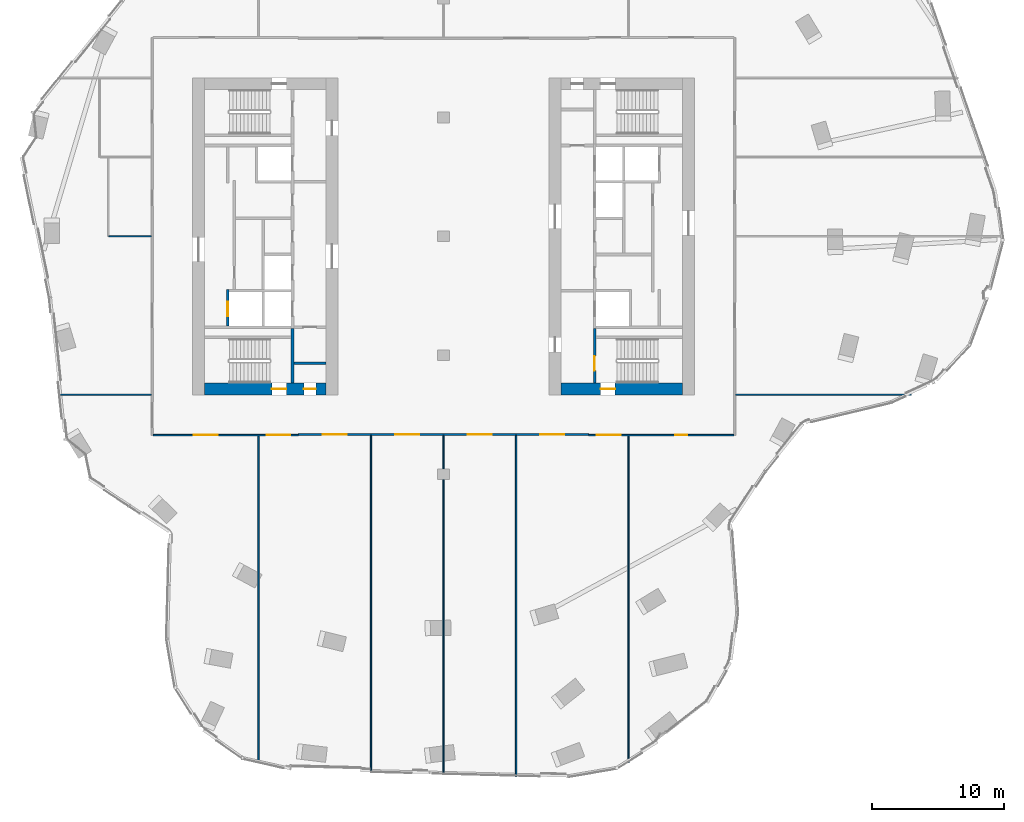
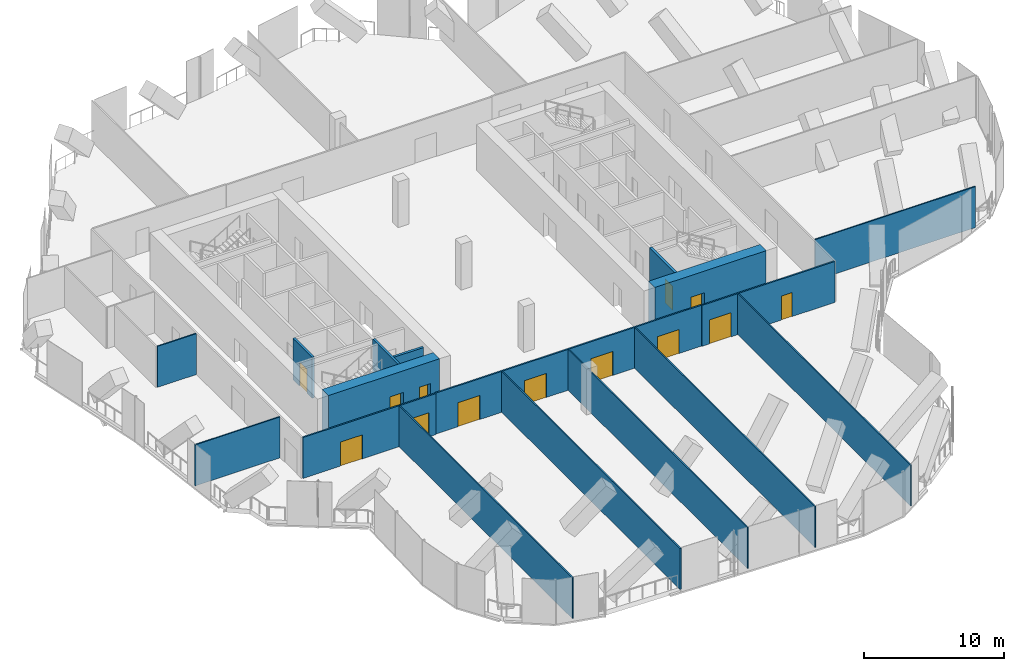
# One storey, part 19 of 26: 17 walls, 13 doors, 13 openings.
"""IFC4 building model written with IfcOpenShell, lengths in metres."""

from ifc_helpers import new_model, si_unit, direction, frame, frame_2d, origin, place, context, subcontext, project, spatial, rectangle, extrude, material, layer, layer_set, type_object, element, fill, save


model = new_model("IFC4")

# Units and contexts
model_context = context("Model", 3, precision=1e-05, world=origin(), true_north=direction((0.0, 1.0)))
body_context = subcontext(model_context, "Body", "Model", "MODEL_VIEW")
ifc_project = project(units=[si_unit("LENGTHUNIT", "METRE"), si_unit("AREAUNIT", "SQUARE_METRE"), si_unit("VOLUMEUNIT", "CUBIC_METRE"), si_unit("PLANEANGLEUNIT", "RADIAN"), si_unit("MASSUNIT", "GRAM", prefix="KILO")], contexts=[model_context])

# Site, building, storey
site_placement = place(None, origin())
site = spatial("IfcSite", under=ifc_project, at=site_placement, CompositionType="ELEMENT")
building_placement = place(site_placement, origin())
building = spatial("IfcBuilding", under=site, at=building_placement, Name="Orlundy Tower", CompositionType="ELEMENT")
storey_placement = place(building_placement, frame((0.0, 0.0, 228.0)))
storey = spatial("IfcBuildingStorey", under=building, at=storey_placement, Name="L60", CompositionType="ELEMENT", Elevation=228.0)

# Wall, openings, doors
ifc_material_1 = material(Name="Concrete C60/75", Category="concrete")
ifc_layer_1 = layer(ifc_material_1, 0.89990234375)
ifc_layer_set_1 = layer_set([ifc_layer_1], Name="CORE WALL 900 C60/75")
wall_type_1 = type_object("IfcWallType", Name="CORE WALL 900 C60/75", PredefinedType="SHEAR", material=ifc_layer_set_1)
wall_1_placement = place(storey_placement, frame((-18.10009765625, -11.550048828125, 0.0), z_axis=(0.0, 0.0, 1.0), x_axis=(1.0, 0.0, 0.0)))
wall_1 = element("IfcWall", 1, at=wall_1_placement, inside=storey, type_object=wall_type_1, Name="Core wall W-S L60", PredefinedType="SHEAR", context=body_context, shape_type="SweptSolid", body=[
    extrude(rectangle(XDim=9.2001953125, YDim=0.89990234375, at=frame_2d((4.60009765625, 0.0))), origin(), (0.0, 0.0, 1.0), 4.0),
])
opening_1_placement = place(wall_1_placement, frame((5.10009765625, 0.0, 0.0)))
opening_1 = element("IfcOpeningElement", 2, at=opening_1_placement, cuts=wall_1, Name="Opening 46012", PredefinedType="OPENING", context=body_context, shape_type="SweptSolid", body=[
    extrude(rectangle(XDim=1.10009765625, YDim=2.10009765625, at=frame_2d((0.550048828125, 1.050048828125))), frame((0.0, 0.4599609375, 0.0), z_axis=(0.0, -1.0, 0.0), x_axis=(1.0, 0.0, 0.0)), (0.0, 0.0, 1.0), 0.919921875),
])
opening_2_placement = place(wall_1_placement, frame((7.530029296875, 0.0, 0.0)))
opening_2 = element("IfcOpeningElement", 3, at=opening_2_placement, cuts=wall_1, Name="Opening 46014", PredefinedType="OPENING", context=body_context, shape_type="SweptSolid", body=[
    extrude(rectangle(XDim=0.89990234375, YDim=2.10009765625, at=frame_2d((0.449951171875, 1.050048828125))), frame((0.0, 0.4599609375, 0.0), z_axis=(0.0, -1.0, 0.0), x_axis=(1.0, 0.0, 0.0)), (0.0, 0.0, 1.0), 0.919921875),
])
ifc_material_2 = material(Name="Timber door set", Category="wood")
door_type_1 = type_object("IfcDoorType", Name="Room Door 900x2100", OperationType="SINGLE_SWING_LEFT", PredefinedType="DOOR", material=ifc_material_2)
door_1_placement = place(opening_2_placement, origin())
door_1 = element("IfcDoor", 4, at=door_1_placement, inside=storey, type_object=door_type_1, Name="Store door 46014", OperationType="SINGLE_SWING_RIGHT", OverallHeight=2.10009765625, OverallWidth=0.89990234375, PredefinedType="DOOR", context=body_context, shape_type="SweptSolid", body=[
    extrude(rectangle(XDim=0.89990234375, YDim=2.10009765625, at=frame_2d((0.449951171875, 1.050048828125))), frame((0.0, 0.02490234375, 0.0), z_axis=(0.0, -1.0, 0.0), x_axis=(1.0, 0.0, 0.0)), (0.0, 0.0, 1.0), 0.050048828125),
])
fill(opening_2, door_1)
ifc_material_3 = material(Name="Steel door set", Category="steel")
door_type_2 = type_object("IfcDoorType", Name="Stair Door 1100x2100", OperationType="SINGLE_SWING_LEFT", PredefinedType="DOOR", material=ifc_material_3)
door_2_placement = place(opening_1_placement, origin())
door_2 = element("IfcDoor", 5, at=door_2_placement, inside=storey, type_object=door_type_2, Name="Stair door 46012", OperationType="SINGLE_SWING_RIGHT", OverallHeight=2.10009765625, OverallWidth=1.10009765625, PredefinedType="DOOR", context=body_context, shape_type="SweptSolid", body=[
    extrude(rectangle(XDim=1.10009765625, YDim=2.10009765625, at=frame_2d((0.550048828125, 1.050048828125))), frame((0.0, 0.02490234375, 0.0), z_axis=(0.0, -1.0, 0.0), x_axis=(1.0, 0.0, 0.0)), (0.0, 0.0, 1.0), 0.050048828125),
])
fill(opening_1, door_2)

# Wall, opening, door
wall_2_placement = place(storey_placement, frame((8.89990234375, -11.550048828125, 0.0), z_axis=(0.0, 0.0, 1.0), x_axis=(1.0, 0.0, 0.0)))
wall_2 = element("IfcWall", 6, at=wall_2_placement, inside=storey, type_object=wall_type_1, Name="Core wall E-S L60", PredefinedType="SHEAR", context=body_context, shape_type="SweptSolid", body=[
    extrude(rectangle(XDim=9.2001953125, YDim=0.89990234375, at=frame_2d((4.60009765625, 0.0))), origin(), (0.0, 0.0, 1.0), 4.0),
])
opening_3_placement = place(wall_2_placement, frame((3.0, 0.0, 0.0)))
opening_3 = element("IfcOpeningElement", 7, at=opening_3_placement, cuts=wall_2, Name="Opening 46060", PredefinedType="OPENING", context=body_context, shape_type="SweptSolid", body=[
    extrude(rectangle(XDim=1.10009765625, YDim=2.10009765625, at=frame_2d((0.550048828125, 1.050048828125))), frame((0.0, 0.4599609375, 0.0), z_axis=(0.0, -1.0, 0.0), x_axis=(1.0, 0.0, 0.0)), (0.0, 0.0, 1.0), 0.919921875),
])
door_3_placement = place(opening_3_placement, origin())
door_3 = element("IfcDoor", 8, at=door_3_placement, inside=storey, type_object=door_type_2, Name="Stair door 46060", OperationType="SINGLE_SWING_LEFT", OverallHeight=2.10009765625, OverallWidth=1.10009765625, PredefinedType="DOOR", context=body_context, shape_type="SweptSolid", body=[
    extrude(rectangle(XDim=1.10009765625, YDim=2.10009765625, at=frame_2d((0.550048828125, 1.050048828125))), frame((0.0, 0.02490234375, 0.0), z_axis=(0.0, -1.0, 0.0), x_axis=(1.0, 0.0, 0.0)), (0.0, 0.0, 1.0), 0.050048828125),
])
fill(opening_3, door_3)

# Walls
ifc_material_4 = material(Name="Gypsum board partition")
ifc_layer_2 = layer(ifc_material_4, 0.10009765625)
ifc_layer_set_2 = layer_set([ifc_layer_2], Name="Floor partition 100")
wall_type_2 = type_object("IfcWallType", Name="Floor partition 100", PredefinedType="PARTITIONING", material=ifc_layer_set_2)
wall_3_placement = place(storey_placement, frame((-29.156005859375, -12.0, 0.0), z_axis=(0.0, 0.0, 1.0), x_axis=(1.0, 0.0, 0.0)))
element("IfcWall", 9, at=wall_3_placement, inside=storey, type_object=wall_type_2, Name="wall-int-L60-004", PredefinedType="PARTITIONING", context=body_context, shape_type="SweptSolid", body=[
    extrude(rectangle(XDim=7.04296875, YDim=0.10009765625, at=frame_2d((3.521484375, 0.0))), origin(), (0.0, 0.0, 1.0), 3.580078125),
])
wall_4_placement = place(storey_placement, frame((22.113037109375, -12.0, 0.0), z_axis=(0.0, 0.0, 1.0), x_axis=(1.0, 0.0, 0.0)))
element("IfcWall", 10, at=wall_4_placement, inside=storey, type_object=wall_type_2, Name="wall-int-L60-005", PredefinedType="PARTITIONING", context=body_context, shape_type="SweptSolid", body=[
    extrude(rectangle(XDim=13.285888671875, YDim=0.10009765625, at=frame_2d((6.64306640625, 0.0))), origin(), (0.0, 0.0, 1.0), 3.580078125),
])
wall_5_placement = place(storey_placement, frame((-25.3310546875, 0.0009765625, 0.0), z_axis=(0.0, 0.0, 1.0), x_axis=(1.0, 0.0, 0.0)))
element("IfcWall", 11, at=wall_5_placement, inside=storey, type_object=wall_type_2, Name="wall-int-L60-006", PredefinedType="PARTITIONING", context=body_context, shape_type="SweptSolid", body=[
    extrude(rectangle(XDim=3.218017578125, YDim=0.10009765625, at=frame_2d((1.60888671875, 0.0))), origin(), (0.0, 0.0, 1.0), 3.580078125),
])
wall_6_placement = place(storey_placement, frame((14.0, -39.85400390625, 0.0), z_axis=(0.0, 0.0, 1.0), x_axis=(0.0, 1.0, 0.0)))
element("IfcWall", 12, at=wall_6_placement, inside=storey, type_object=wall_type_2, Name="wall-int-L60-016", PredefinedType="PARTITIONING", context=body_context, shape_type="SweptSolid", body=[
    extrude(rectangle(XDim=24.739990234375, YDim=0.10009765625, at=frame_2d((12.3701171875, 0.0))), origin(), (0.0, 0.0, 1.0), 3.580078125),
])
wall_7_placement = place(storey_placement, frame((5.49609375, -40.907958984375, 0.0), z_axis=(0.0, 0.0, 1.0), x_axis=(0.0, 1.0, 0.0)))
element("IfcWall", 13, at=wall_7_placement, inside=storey, type_object=wall_type_2, Name="wall-int-L60-018", PredefinedType="PARTITIONING", context=body_context, shape_type="SweptSolid", body=[
    extrude(rectangle(XDim=25.844970703125, YDim=0.10009765625, at=frame_2d((12.92236328125, 0.0))), origin(), (0.0, 0.0, 1.0), 3.580078125),
])
wall_8_placement = place(storey_placement, frame((0.0, -40.763916015625, 0.0), z_axis=(0.0, 0.0, 1.0), x_axis=(0.0, 1.0, 0.0)))
element("IfcWall", 14, at=wall_8_placement, inside=storey, type_object=wall_type_2, Name="wall-int-L60-019", PredefinedType="PARTITIONING", context=body_context, shape_type="SweptSolid", body=[
    extrude(rectangle(XDim=25.700927734375, YDim=0.10009765625, at=frame_2d((12.8505859375, 0.0))), origin(), (0.0, 0.0, 1.0), 3.580078125),
])
wall_9_placement = place(storey_placement, frame((-5.493896484375, -40.6201171875, 0.0), z_axis=(0.0, 0.0, 1.0), x_axis=(0.0, 1.0, 0.0)))
element("IfcWall", 15, at=wall_9_placement, inside=storey, type_object=wall_type_2, Name="wall-int-L60-021", PredefinedType="PARTITIONING", context=body_context, shape_type="SweptSolid", body=[
    extrude(rectangle(XDim=25.55712890625, YDim=0.10009765625, at=frame_2d((12.778564453125, 0.0))), origin(), (0.0, 0.0, 1.0), 3.580078125),
])
wall_10_placement = place(storey_placement, frame((-14.0, -39.9150390625, 0.0), z_axis=(0.0, 0.0, 1.0), x_axis=(0.0, 1.0, 0.0)))
element("IfcWall", 16, at=wall_10_placement, inside=storey, type_object=wall_type_2, Name="wall-int-L60-022", PredefinedType="PARTITIONING", context=body_context, shape_type="SweptSolid", body=[
    extrude(rectangle(XDim=24.801025390625, YDim=0.10009765625, at=frame_2d((12.400390625, 0.0))), origin(), (0.0, 0.0, 1.0), 3.580078125),
])

# Wall, openings, doors
ifc_material_5 = material(Name="Gypsum board partition, double layer")
ifc_layer_3 = layer(ifc_material_5, 0.125)
ifc_layer_set_3 = layer_set([ifc_layer_3], Name="Floor partition 125")
wall_type_3 = type_object("IfcWallType", Name="Floor partition 125", PredefinedType="PARTITIONING", material=ifc_layer_set_3)
wall_11_placement = place(storey_placement, frame((-10.990966796875, -15.051025390625, 0.0), z_axis=(0.0, 0.0, 1.0), x_axis=(-1.0, 0.0, 0.0)))
wall_11 = element("IfcWall", 17, at=wall_11_placement, inside=storey, type_object=wall_type_3, Name="wall-int-L60-001", PredefinedType="PARTITIONING", context=body_context, shape_type="SweptSolid", body=[
    extrude(rectangle(XDim=10.9970703125, YDim=0.125, at=frame_2d((5.49853515625, 0.0))), origin(), (0.0, 0.0, 1.0), 3.580078125),
])
opening_4_placement = place(wall_11_placement, frame((6.10888671875, 0.0, 0.0)))
opening_4 = element("IfcOpeningElement", 18, at=opening_4_placement, cuts=wall_11, Name="Opening 46101", PredefinedType="OPENING", context=body_context, shape_type="SweptSolid", body=[
    extrude(rectangle(XDim=1.800048828125, YDim=2.10009765625, at=frame_2d((0.89990234375, 1.050048828125))), frame((0.0, 0.072509765625, 0.0), z_axis=(0.0, -1.0, 0.0), x_axis=(1.0, 0.0, 0.0)), (0.0, 0.0, 1.0), 0.14501953125),
])
opening_5_placement = place(wall_11_placement, frame((0.60009765625, 0.0, 0.0)))
opening_5 = element("IfcOpeningElement", 19, at=opening_5_placement, cuts=wall_11, Name="Opening 46102", PredefinedType="OPENING", context=body_context, shape_type="SweptSolid", body=[
    extrude(rectangle(XDim=1.800048828125, YDim=2.10009765625, at=frame_2d((0.89990234375, 1.050048828125))), frame((0.0, 0.072509765625, 0.0), z_axis=(0.0, -1.0, 0.0), x_axis=(1.0, 0.0, 0.0)), (0.0, 0.0, 1.0), 0.14501953125),
])
ifc_material_6 = material(Name="Timber door leaf", Category="wood")
door_type_3 = type_object("IfcDoorType", Name="Floor door double 1800 FD30S", OperationType="NOTDEFINED", PredefinedType="DOOR", material=ifc_material_6)
door_4_placement = place(opening_4_placement, origin())
door_4 = element("IfcDoor", 20, at=door_4_placement, inside=storey, type_object=door_type_3, Name="Door 46101", OperationType="DOUBLE_DOOR_SINGLE_SWING", OverallHeight=2.10009765625, OverallWidth=1.800048828125, PredefinedType="DOOR", context=body_context, shape_type="SweptSolid", body=[
    extrude(rectangle(XDim=1.800048828125, YDim=2.10009765625, at=frame_2d((0.89990234375, 1.050048828125))), frame((0.0, 0.02490234375, 0.0), z_axis=(0.0, -1.0, 0.0), x_axis=(1.0, 0.0, 0.0)), (0.0, 0.0, 1.0), 0.050048828125),
])
fill(opening_4, door_4)
door_5_placement = place(opening_5_placement, origin())
door_5 = element("IfcDoor", 21, at=door_5_placement, inside=storey, type_object=door_type_3, Name="Door 46102", OperationType="DOUBLE_DOOR_SINGLE_SWING", OverallHeight=2.10009765625, OverallWidth=1.800048828125, PredefinedType="DOOR", context=body_context, shape_type="SweptSolid", body=[
    extrude(rectangle(XDim=1.800048828125, YDim=2.10009765625, at=frame_2d((0.89990234375, 1.050048828125))), frame((0.0, 0.02490234375, 0.0), z_axis=(0.0, -1.0, 0.0), x_axis=(1.0, 0.0, 0.0)), (0.0, 0.0, 1.0), 0.050048828125),
])
fill(opening_5, door_5)

wall_12_placement = place(storey_placement, frame((21.988037109375, -15.051025390625, 0.0), z_axis=(0.0, 0.0, 1.0), x_axis=(-1.0, 0.0, 0.0)))
wall_12 = element("IfcWall", 22, at=wall_12_placement, inside=storey, type_object=wall_type_3, Name="wall-int-L60-002", PredefinedType="PARTITIONING", context=body_context, shape_type="SweptSolid", body=[
    extrude(rectangle(XDim=10.9970703125, YDim=0.125, at=frame_2d((5.49853515625, 0.0))), origin(), (0.0, 0.0, 1.0), 3.580078125),
])
opening_6_placement = place(wall_12_placement, frame((8.58740234375, 0.0, 0.0)))
opening_6 = element("IfcOpeningElement", 23, at=opening_6_placement, cuts=wall_12, Name="Opening 46107", PredefinedType="OPENING", context=body_context, shape_type="SweptSolid", body=[
    extrude(rectangle(XDim=1.800048828125, YDim=2.10009765625, at=frame_2d((0.89990234375, 1.050048828125))), frame((0.0, 0.072509765625, 0.0), z_axis=(0.0, -1.0, 0.0), x_axis=(1.0, 0.0, 0.0)), (0.0, 0.0, 1.0), 0.14501953125),
])
opening_7_placement = place(wall_12_placement, frame((3.53759765625, 0.0, 0.0)))
opening_7 = element("IfcOpeningElement", 24, at=opening_7_placement, cuts=wall_12, Name="Opening 46108", PredefinedType="OPENING", context=body_context, shape_type="SweptSolid", body=[
    extrude(rectangle(XDim=0.89990234375, YDim=2.10009765625, at=frame_2d((0.449951171875, 1.050048828125))), frame((0.0, 0.072509765625, 0.0), z_axis=(0.0, -1.0, 0.0), x_axis=(1.0, 0.0, 0.0)), (0.0, 0.0, 1.0), 0.14501953125),
])
door_6_placement = place(opening_6_placement, origin())
door_6 = element("IfcDoor", 25, at=door_6_placement, inside=storey, type_object=door_type_3, Name="Door 46107", OperationType="DOUBLE_DOOR_SINGLE_SWING", OverallHeight=2.10009765625, OverallWidth=1.800048828125, PredefinedType="DOOR", context=body_context, shape_type="SweptSolid", body=[
    extrude(rectangle(XDim=1.800048828125, YDim=2.10009765625, at=frame_2d((0.89990234375, 1.050048828125))), frame((0.0, 0.02490234375, 0.0), z_axis=(0.0, -1.0, 0.0), x_axis=(1.0, 0.0, 0.0)), (0.0, 0.0, 1.0), 0.050048828125),
])
fill(opening_6, door_6)
ifc_material_7 = material(Name="Timber door leaf", Category="wood")
door_type_4 = type_object("IfcDoorType", Name="Floor door single 900 FD30S", OperationType="NOTDEFINED", PredefinedType="DOOR", material=ifc_material_7)
door_7_placement = place(opening_7_placement, origin())
door_7 = element("IfcDoor", 26, at=door_7_placement, inside=storey, type_object=door_type_4, Name="Door 46108", OperationType="SINGLE_SWING_LEFT", OverallHeight=2.10009765625, OverallWidth=0.89990234375, PredefinedType="DOOR", context=body_context, shape_type="SweptSolid", body=[
    extrude(rectangle(XDim=0.89990234375, YDim=2.10009765625, at=frame_2d((0.449951171875, 1.050048828125))), frame((0.0, 0.02490234375, 0.0), z_axis=(0.0, -1.0, 0.0), x_axis=(1.0, 0.0, 0.0)), (0.0, 0.0, 1.0), 0.050048828125),
])
fill(opening_7, door_7)

wall_13_placement = place(storey_placement, frame((10.989990234375, -15.0009765625, 0.0), z_axis=(0.0, 0.0, 1.0), x_axis=(-1.0, 0.0, 0.0)))
wall_13 = element("IfcWall", 27, at=wall_13_placement, inside=storey, type_object=wall_type_3, Name="wall-int-L60-003", PredefinedType="PARTITIONING", context=body_context, shape_type="SweptSolid", body=[
    extrude(rectangle(XDim=21.97998046875, YDim=0.125, at=frame_2d((10.989990234375, 0.0))), origin(), (0.0, 0.0, 1.0), 3.580078125),
])
opening_8_placement = place(wall_13_placement, frame((18.333984375, 0.0, 0.0)))
opening_8 = element("IfcOpeningElement", 28, at=opening_8_placement, cuts=wall_13, Name="Opening 46103", PredefinedType="OPENING", context=body_context, shape_type="SweptSolid", body=[
    extrude(rectangle(XDim=1.800048828125, YDim=2.10009765625, at=frame_2d((0.89990234375, 1.050048828125))), frame((0.0, 0.072509765625, 0.0), z_axis=(0.0, -1.0, 0.0), x_axis=(1.0, 0.0, 0.0)), (0.0, 0.0, 1.0), 0.14501953125),
])
opening_9_placement = place(wall_13_placement, frame((12.840087890625, 0.0, 0.0)))
opening_9 = element("IfcOpeningElement", 29, at=opening_9_placement, cuts=wall_13, Name="Opening 46104", PredefinedType="OPENING", context=body_context, shape_type="SweptSolid", body=[
    extrude(rectangle(XDim=1.800048828125, YDim=2.10009765625, at=frame_2d((0.89990234375, 1.050048828125))), frame((0.0, 0.072509765625, 0.0), z_axis=(0.0, -1.0, 0.0), x_axis=(1.0, 0.0, 0.0)), (0.0, 0.0, 1.0), 0.14501953125),
])
opening_10_placement = place(wall_13_placement, frame((7.343994140625, 0.0, 0.0)))
opening_10 = element("IfcOpeningElement", 30, at=opening_10_placement, cuts=wall_13, Name="Opening 46105", PredefinedType="OPENING", context=body_context, shape_type="SweptSolid", body=[
    extrude(rectangle(XDim=1.800048828125, YDim=2.10009765625, at=frame_2d((0.89990234375, 1.050048828125))), frame((0.0, 0.072509765625, 0.0), z_axis=(0.0, -1.0, 0.0), x_axis=(1.0, 0.0, 0.0)), (0.0, 0.0, 1.0), 0.14501953125),
])
opening_11_placement = place(wall_13_placement, frame((1.85009765625, 0.0, 0.0)))
opening_11 = element("IfcOpeningElement", 31, at=opening_11_placement, cuts=wall_13, Name="Opening 46106", PredefinedType="OPENING", context=body_context, shape_type="SweptSolid", body=[
    extrude(rectangle(XDim=1.800048828125, YDim=2.10009765625, at=frame_2d((0.89990234375, 1.050048828125))), frame((0.0, 0.072509765625, 0.0), z_axis=(0.0, -1.0, 0.0), x_axis=(1.0, 0.0, 0.0)), (0.0, 0.0, 1.0), 0.14501953125),
])
door_8_placement = place(opening_8_placement, origin())
door_8 = element("IfcDoor", 32, at=door_8_placement, inside=storey, type_object=door_type_3, Name="Door 46103", OperationType="DOUBLE_DOOR_SINGLE_SWING", OverallHeight=2.10009765625, OverallWidth=1.800048828125, PredefinedType="DOOR", context=body_context, shape_type="SweptSolid", body=[
    extrude(rectangle(XDim=1.800048828125, YDim=2.10009765625, at=frame_2d((0.89990234375, 1.050048828125))), frame((0.0, 0.02490234375, 0.0), z_axis=(0.0, -1.0, 0.0), x_axis=(1.0, 0.0, 0.0)), (0.0, 0.0, 1.0), 0.050048828125),
])
fill(opening_8, door_8)
door_9_placement = place(opening_9_placement, origin())
door_9 = element("IfcDoor", 33, at=door_9_placement, inside=storey, type_object=door_type_3, Name="Door 46104", OperationType="DOUBLE_DOOR_SINGLE_SWING", OverallHeight=2.10009765625, OverallWidth=1.800048828125, PredefinedType="DOOR", context=body_context, shape_type="SweptSolid", body=[
    extrude(rectangle(XDim=1.800048828125, YDim=2.10009765625, at=frame_2d((0.89990234375, 1.050048828125))), frame((0.0, 0.02490234375, 0.0), z_axis=(0.0, -1.0, 0.0), x_axis=(1.0, 0.0, 0.0)), (0.0, 0.0, 1.0), 0.050048828125),
])
fill(opening_9, door_9)
door_10_placement = place(opening_10_placement, origin())
door_10 = element("IfcDoor", 34, at=door_10_placement, inside=storey, type_object=door_type_3, Name="Door 46105", OperationType="DOUBLE_DOOR_SINGLE_SWING", OverallHeight=2.10009765625, OverallWidth=1.800048828125, PredefinedType="DOOR", context=body_context, shape_type="SweptSolid", body=[
    extrude(rectangle(XDim=1.800048828125, YDim=2.10009765625, at=frame_2d((0.89990234375, 1.050048828125))), frame((0.0, 0.02490234375, 0.0), z_axis=(0.0, -1.0, 0.0), x_axis=(1.0, 0.0, 0.0)), (0.0, 0.0, 1.0), 0.050048828125),
])
fill(opening_10, door_10)
door_11_placement = place(opening_11_placement, origin())
door_11 = element("IfcDoor", 35, at=door_11_placement, inside=storey, type_object=door_type_3, Name="Door 46106", OperationType="DOUBLE_DOOR_SINGLE_SWING", OverallHeight=2.10009765625, OverallWidth=1.800048828125, PredefinedType="DOOR", context=body_context, shape_type="SweptSolid", body=[
    extrude(rectangle(XDim=1.800048828125, YDim=2.10009765625, at=frame_2d((0.89990234375, 1.050048828125))), frame((0.0, 0.02490234375, 0.0), z_axis=(0.0, -1.0, 0.0), x_axis=(1.0, 0.0, 0.0)), (0.0, 0.0, 1.0), 0.050048828125),
])
fill(opening_11, door_11)

# Wall
ifc_material_8 = material(Name="Concrete C40/50", Category="concrete")
ifc_layer_4 = layer(ifc_material_8, 0.199951171875)
ifc_layer_set_4 = layer_set([ifc_layer_4], Name="Load-bearing Shaft Wall 200")
wall_type_4 = type_object("IfcWallType", Name="Load-bearing Shaft Wall 200", PredefinedType="SOLIDWALL", material=ifc_layer_set_4)
wall_14_placement = place(storey_placement, frame((-11.43994140625, -11.10009765625, 0.0), z_axis=(0.0, 0.0, 1.0), x_axis=(0.0, 1.0, 0.0)))
element("IfcWall", 36, at=wall_14_placement, inside=storey, type_object=wall_type_4, Name="Shaft wall W46-stair-end-s", PredefinedType="SOLIDWALL", context=body_context, shape_type="SweptSolid", body=[
    extrude(rectangle(XDim=4.125, YDim=0.199951171875, at=frame_2d((2.0625, 0.0))), origin(), (0.0, 0.0, 1.0), 3.590087890625),
])

# Wall, opening, door
wall_15_placement = place(storey_placement, frame((11.43994140625, -6.97509765625, 0.0), z_axis=(0.0, 0.0, 1.0), x_axis=(0.0, -1.0, 0.0)))
wall_15 = element("IfcWall", 37, at=wall_15_placement, inside=storey, type_object=wall_type_4, Name="Shaft wall E46-stair-end-n", PredefinedType="SOLIDWALL", context=body_context, shape_type="SweptSolid", body=[
    extrude(rectangle(XDim=4.125, YDim=0.199951171875, at=frame_2d((2.0625, 0.0))), origin(), (0.0, 0.0, 1.0), 3.590087890625),
])
opening_12_placement = place(wall_15_placement, frame((2.10009765625, 0.0, 0.0)))
opening_12 = element("IfcOpeningElement", 38, at=opening_12_placement, cuts=wall_15, Name="Opening 46062", PredefinedType="OPENING", context=body_context, shape_type="SweptSolid", body=[
    extrude(rectangle(XDim=1.10009765625, YDim=2.10009765625, at=frame_2d((0.550048828125, 1.050048828125))), frame((0.0, 0.110107421875, 0.0), z_axis=(0.0, -1.0, 0.0), x_axis=(1.0, 0.0, 0.0)), (0.0, 0.0, 1.0), 0.22021484375),
])
ifc_material_9 = material(Name="Steel door set", Category="steel")
door_type_5 = type_object("IfcDoorType", Name="Fire-fighting Lobby Door 1100x2100", OperationType="SINGLE_SWING_LEFT", PredefinedType="DOOR", material=ifc_material_9)
door_12_placement = place(opening_12_placement, origin())
door_12 = element("IfcDoor", 39, at=door_12_placement, inside=storey, type_object=door_type_5, Name="Fire-fighting lobby to stair door 46062", OperationType="SINGLE_SWING_RIGHT", OverallHeight=2.10009765625, OverallWidth=1.10009765625, PredefinedType="DOOR", context=body_context, shape_type="SweptSolid", body=[
    extrude(rectangle(XDim=1.10009765625, YDim=2.10009765625, at=frame_2d((0.550048828125, 1.050048828125))), frame((0.0, 0.02490234375, 0.0), z_axis=(0.0, -1.0, 0.0), x_axis=(1.0, 0.0, 0.0)), (0.0, 0.0, 1.0), 0.050048828125),
])
fill(opening_12, door_12)

# Wall
ifc_material_10 = material(Name="Gypsum board partition on steel studs", Category="steel")
ifc_layer_5 = layer(ifc_material_10, 0.199951171875)
ifc_layer_set_5 = layer_set([ifc_layer_5], Name="Partition 200")
wall_type_5 = type_object("IfcWallType", Name="Partition 200", PredefinedType="PARTITIONING", material=ifc_layer_set_5)
wall_16_placement = place(storey_placement, frame((-8.89990234375, -9.60009765625, 0.0), z_axis=(0.0, 0.0, 1.0), x_axis=(-1.0, 0.0, 0.0)))
element("IfcWall", 40, at=wall_16_placement, inside=storey, type_object=wall_type_5, Name="Partition wall W46-room-s0", PredefinedType="PARTITIONING", context=body_context, shape_type="SweptSolid", body=[
    extrude(rectangle(XDim=2.440185546875, YDim=0.199951171875, at=frame_2d((1.22021484375, 0.0))), origin(), (0.0, 0.0, 1.0), 3.590087890625),
])

# Wall, opening, door
ifc_material_11 = material(Name="Fire-rated blockwork shaft wall", Category="masonry")
ifc_layer_6 = layer(ifc_material_11, 0.199951171875)
ifc_layer_set_6 = layer_set([ifc_layer_6], Name="Shaft Wall 200")
wall_type_6 = type_object("IfcWallType", Name="Shaft Wall 200", PredefinedType="SOLIDWALL", material=ifc_layer_set_6)
wall_17_placement = place(storey_placement, frame((-16.340087890625, -6.77490234375, 0.0), z_axis=(0.0, 0.0, 1.0), x_axis=(0.0, 1.0, 0.0)))
wall_17 = element("IfcWall", 41, at=wall_17_placement, inside=storey, type_object=wall_type_6, Name="Shaft wall W46-front-o-a", PredefinedType="SOLIDWALL", context=body_context, shape_type="SweptSolid", body=[
    extrude(rectangle(XDim=2.75, YDim=0.199951171875, at=frame_2d((1.375, 0.0))), origin(), (0.0, 0.0, 1.0), 3.590087890625),
])
opening_13_placement = place(wall_17_placement, frame((0.72509765625, 0.0, 0.0)))
opening_13 = element("IfcOpeningElement", 42, at=opening_13_placement, cuts=wall_17, Name="Opening 46002", PredefinedType="OPENING", context=body_context, shape_type="SweptSolid", body=[
    extrude(rectangle(XDim=1.10009765625, YDim=2.10009765625, at=frame_2d((0.550048828125, 1.050048828125))), frame((0.0, 0.110107421875, 0.0), z_axis=(0.0, -1.0, 0.0), x_axis=(1.0, 0.0, 0.0)), (0.0, 0.0, 1.0), 0.22021484375),
])
ifc_material_12 = material(Name="Steel door set", Category="steel")
door_type_6 = type_object("IfcDoorType", Name="Landing Door 1100x2100", OperationType="DOUBLE_DOOR_SLIDING", PredefinedType="DOOR", material=ifc_material_12)
door_13_placement = place(opening_13_placement, origin())
door_13 = element("IfcDoor", 43, at=door_13_placement, inside=storey, type_object=door_type_6, Name="Lift landing door LV-01 46002", OperationType="DOUBLE_DOOR_SLIDING", OverallHeight=2.10009765625, OverallWidth=1.10009765625, PredefinedType="DOOR", context=body_context, shape_type="SweptSolid", body=[
    extrude(rectangle(XDim=1.10009765625, YDim=2.10009765625, at=frame_2d((0.550048828125, 1.050048828125))), frame((0.0, 0.02490234375, 0.0), z_axis=(0.0, -1.0, 0.0), x_axis=(1.0, 0.0, 0.0)), (0.0, 0.0, 1.0), 0.050048828125),
])
fill(opening_13, door_13)

save(model, "model.ifc")
